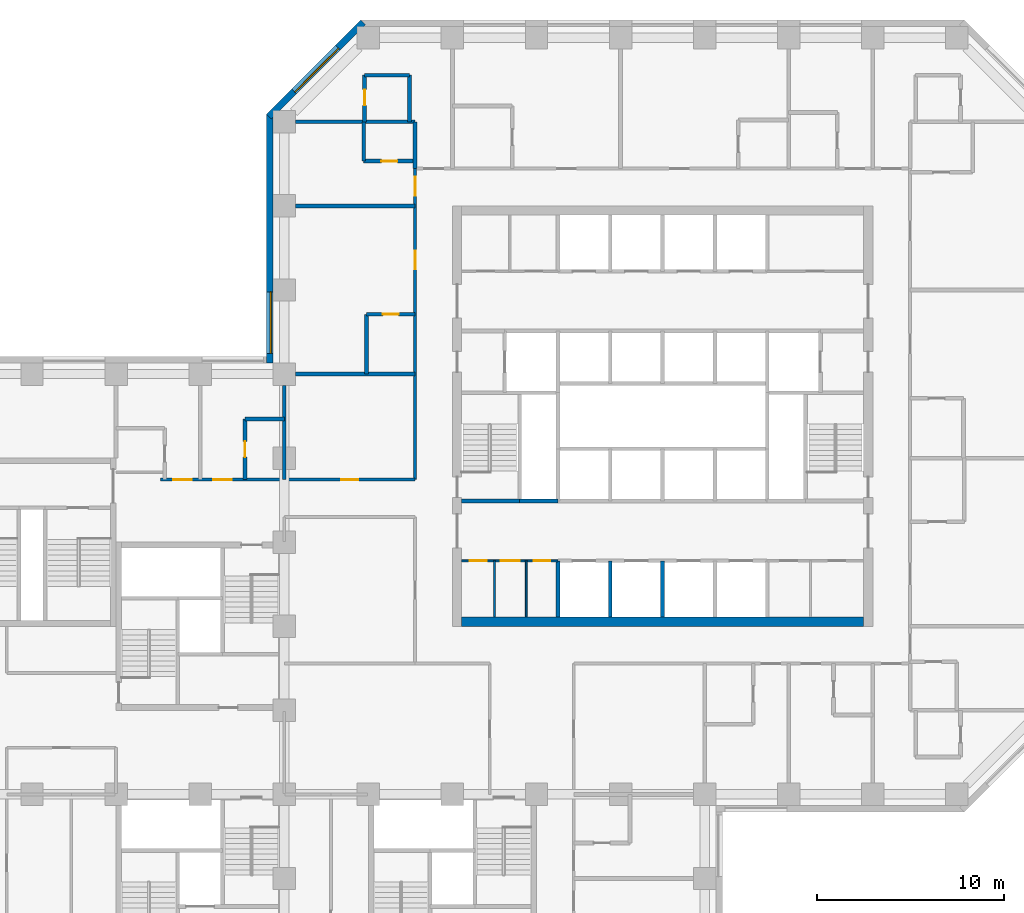
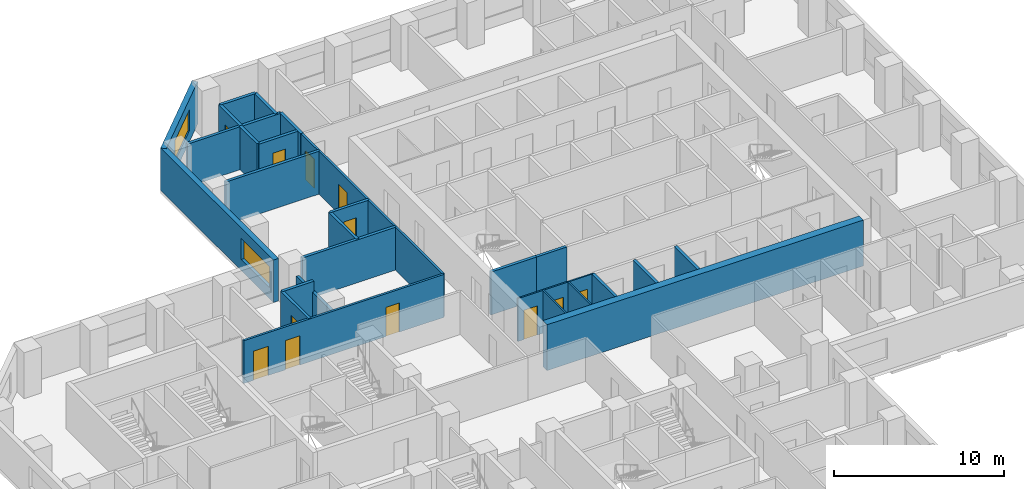
# One storey, part 7 of 12: 27 walls, 12 doors, 2 windows, 14 openings.
"""IFC4 building model written with IfcOpenShell, lengths in metres."""

from ifc_helpers import new_model, si_unit, direction, frame, frame_2d, origin, place, context, subcontext, project, spatial, rectangle, extrude, material, layer, layer_set, constituent, constituent_set, type_object, element, fill, save


model = new_model("IFC4")

# Units and contexts
model_context = context("Model", 3, precision=1e-05, world=origin(), true_north=direction((0.0, 1.0)))
body_context = subcontext(model_context, "Body", "Model", "MODEL_VIEW")
ifc_project = project(units=[si_unit("LENGTHUNIT", "METRE"), si_unit("AREAUNIT", "SQUARE_METRE"), si_unit("VOLUMEUNIT", "CUBIC_METRE"), si_unit("PLANEANGLEUNIT", "RADIAN"), si_unit("MASSUNIT", "GRAM", prefix="KILO")], contexts=[model_context])

# Site, building, storey
site_placement = place(None, origin())
site = spatial("IfcSite", under=ifc_project, at=site_placement, CompositionType="ELEMENT")
building_placement = place(site_placement, origin())
building = spatial("IfcBuilding", under=site, at=building_placement, Name="Quoin Convention Tower", CompositionType="ELEMENT")
storey_placement = place(building_placement, frame((0.0, 0.0, 59.39990234375)))
storey = spatial("IfcBuildingStorey", under=building, at=storey_placement, Name="L15", CompositionType="ELEMENT", Elevation=59.39990234375)

# Wall, opening, window
ifc_material_1 = material(Name="Brick masonry", Category="masonry")
ifc_layer_1 = layer(ifc_material_1, 0.35009765625)
ifc_layer_set_1 = layer_set([ifc_layer_1], Name="Brick masonry")
wall_type_1 = type_object("IfcWallType", Name="Brick facade wall", PredefinedType="STANDARD", material=ifc_layer_set_1)
wall_1_placement = place(storey_placement, frame((40.230224609375, 81.826416015625, 0.0), z_axis=(0.0, 0.0, 1.0), x_axis=(-0.707106781187, -0.707106781187, 0.0)))
wall_1 = element("IfcWall", 1, at=wall_1_placement, inside=storey, type_object=wall_type_1, Name="fw-L15-40500_81000", PredefinedType="STANDARD", context=body_context, shape_type="SweptSolid", body=[
    extrude(rectangle(XDim=7.151123046875, YDim=0.35009765625, at=frame_2d((3.57568359375, 0.0))), origin(), (0.0, 0.0, 1.0), 3.05517578125),
])
opening_1_placement = place(wall_1_placement, frame((1.925537109375, 0.0, 0.800048828125)))
opening_1 = element("IfcOpeningElement", 2, at=opening_1_placement, cuts=wall_1, Name="Opening W-01", PredefinedType="OPENING", context=body_context, shape_type="SweptSolid", body=[
    extrude(rectangle(XDim=3.300048828125, YDim=1.5, at=frame_2d((1.64990234375, 0.75))), frame((0.0, 0.18505859375, 0.0), z_axis=(0.0, -1.0, 0.0), x_axis=(1.0, 0.0, 0.0)), (0.0, 0.0, 1.0), 0.3701171875),
])
ifc_material_2 = material(Name="Aluminium", Category="aluminium")
ifc_constituent_1 = constituent(ifc_material_2, Name="Frame")
ifc_material_3 = material(Name="Insulated glass", Category="glass")
ifc_constituent_2 = constituent(ifc_material_3, Name="Glazing")
ifc_constituent_set = constituent_set(constituents=[ifc_constituent_1, ifc_constituent_2], Name="Aluminium")
window_type = type_object("IfcWindowType", Name="Hotel strip window", PartitioningType="DOUBLE_PANEL_VERTICAL", PredefinedType="WINDOW", material=ifc_constituent_set)
window_1_placement = place(opening_1_placement, origin())
window_1 = element("IfcWindow", 3, at=window_1_placement, inside=storey, type_object=window_type, Name="win-L15-37702_79298", OverallHeight=1.5, OverallWidth=3.300048828125, PartitioningType="SINGLE_PANEL", PredefinedType="WINDOW", context=body_context, shape_type="SweptSolid", body=[
    extrude(rectangle(XDim=3.300048828125, YDim=1.5, at=frame_2d((1.64990234375, 0.75))), frame((0.0, 0.0849609375, 0.0), z_axis=(0.0, -1.0, 0.0), x_axis=(1.0, 0.0, 0.0)), (0.0, 0.0, 1.0), 0.06005859375),
])
fill(opening_1, window_1)

wall_2_placement = place(storey_placement, frame((35.22509765625, 76.8935546875, 0.0), z_axis=(0.0, 0.0, 1.0), x_axis=(0.0, -1.0, 0.0)))
wall_2 = element("IfcWall", 4, at=wall_2_placement, inside=storey, type_object=wall_type_1, Name="fw-L15-36000_76500", PredefinedType="STANDARD", context=body_context, shape_type="SweptSolid", body=[
    extrude(rectangle(XDim=13.29345703125, YDim=0.35009765625, at=frame_2d((6.646728515625, 0.0))), origin(), (0.0, 0.0, 1.0), 3.05517578125),
])
opening_2_placement = place(wall_2_placement, frame((9.493408203125, 0.0, 0.800048828125)))
opening_2 = element("IfcOpeningElement", 5, at=opening_2_placement, cuts=wall_2, Name="Opening W-01", PredefinedType="OPENING", context=body_context, shape_type="SweptSolid", body=[
    extrude(rectangle(XDim=3.300048828125, YDim=1.5, at=frame_2d((1.64990234375, 0.75))), frame((0.0, 0.18505859375, 0.0), z_axis=(0.0, -1.0, 0.0), x_axis=(1.0, 0.0, 0.0)), (0.0, 0.0, 1.0), 0.3701171875),
])
window_2_placement = place(opening_2_placement, origin())
window_2 = element("IfcWindow", 6, at=window_2_placement, inside=storey, type_object=window_type, Name="win-L15-35225_65250", OverallHeight=1.5, OverallWidth=3.300048828125, PartitioningType="SINGLE_PANEL", PredefinedType="WINDOW", context=body_context, shape_type="SweptSolid", body=[
    extrude(rectangle(XDim=3.300048828125, YDim=1.5, at=frame_2d((1.64990234375, 0.75))), frame((0.0, 0.0849609375, 0.0), z_axis=(0.0, -1.0, 0.0), x_axis=(1.0, 0.0, 0.0)), (0.0, 0.0, 1.0), 0.06005859375),
])
fill(opening_2, window_2)

# Wall, openings, doors
ifc_material_4 = material(Name="Plasterboard")
ifc_layer_2 = layer(ifc_material_4, 0.012451171875, Name="Finish")
ifc_material_5 = material(Name="Steel stud framing", Category="steel")
ifc_layer_3 = layer(ifc_material_5, 0.074951171875, Name="Structure")
ifc_layer_4 = layer(ifc_material_4, 0.012451171875, Name="Finish")
ifc_layer_set_2 = layer_set([ifc_layer_2, ifc_layer_3, ifc_layer_4], Name="Steel stud framing")
wall_type_2 = type_object("IfcWallType", Name="Core partition wall", PredefinedType="PARTITIONING", material=ifc_layer_set_2)
wall_3_placement = place(storey_placement, frame((45.5, 53.0, 0.0), z_axis=(0.0, 0.0, 1.0), x_axis=(1.0, 0.0, 0.0)))
wall_3 = element("IfcWall", 7, at=wall_3_placement, inside=storey, type_object=wall_type_2, Name="cr-C1-L15-h3500_500", PredefinedType="PARTITIONING", context=body_context, shape_type="SweptSolid", body=[
    extrude(rectangle(XDim=5.14990234375, YDim=0.10009765625, at=frame_2d((2.574951171875, 0.0))), origin(), (0.0, 0.0, 1.0), 3.080078125),
])
opening_3_placement = place(wall_3_placement, frame((0.425537109375, 0.0, 0.0)))
opening_3 = element("IfcOpeningElement", 8, at=opening_3_placement, cuts=wall_3, Name="Opening DCV5-44", PredefinedType="OPENING", context=body_context, shape_type="SweptSolid", body=[
    extrude(rectangle(XDim=0.89990234375, YDim=2.10009765625, at=frame_2d((0.449951171875, 1.050048828125))), frame((0.0, 0.06005859375, 0.0), z_axis=(0.0, -1.0, 0.0), x_axis=(1.0, 0.0, 0.0)), (0.0, 0.0, 1.0), 0.1201171875),
])
opening_4_placement = place(wall_3_placement, frame((2.1005859375, 0.0, 0.0)))
opening_4 = element("IfcOpeningElement", 9, at=opening_4_placement, cuts=wall_3, Name="Opening DCV5-45", PredefinedType="OPENING", context=body_context, shape_type="SweptSolid", body=[
    extrude(rectangle(XDim=1.0, YDim=2.10009765625, at=frame_2d((0.5, 1.050048828125))), frame((0.0, 0.06005859375, 0.0), z_axis=(0.0, -1.0, 0.0), x_axis=(1.0, 0.0, 0.0)), (0.0, 0.0, 1.0), 0.1201171875),
])
opening_5_placement = place(wall_3_placement, frame((3.85009765625, 0.0, 0.0)))
opening_5 = element("IfcOpeningElement", 10, at=opening_5_placement, cuts=wall_3, Name="Opening DCV5-46", PredefinedType="OPENING", context=body_context, shape_type="SweptSolid", body=[
    extrude(rectangle(XDim=0.89990234375, YDim=2.10009765625, at=frame_2d((0.449951171875, 1.050048828125))), frame((0.0, 0.06005859375, 0.0), z_axis=(0.0, -1.0, 0.0), x_axis=(1.0, 0.0, 0.0)), (0.0, 0.0, 1.0), 0.1201171875),
])
ifc_material_6 = material(Name="Steel door leaf", Category="steel")
door_type_1 = type_object("IfcDoorType", Name="Core room door 1000 x 2100", OperationType="SINGLE_SWING_LEFT", PredefinedType="DOOR", material=ifc_material_6)
door_1_placement = place(opening_4_placement, frame((1.0, 0.0, 0.0), z_axis=(0.0, 0.0, 1.0), x_axis=(-1.0, 0.0, 0.0)))
door_1 = element("IfcDoor", 11, at=door_1_placement, inside=storey, type_object=door_type_1, Name="cd-C1-L15-CSW1-lobA-CD1513", OperationType="SINGLE_SWING_LEFT", OverallHeight=2.10009765625, OverallWidth=1.0, PredefinedType="DOOR", context=body_context, shape_type="SweptSolid", body=[
    extrude(rectangle(XDim=1.0, YDim=2.10009765625, at=frame_2d((0.5, 1.050048828125))), frame((0.0, 0.02490234375, 0.0), z_axis=(0.0, -1.0, 0.0), x_axis=(1.0, 0.0, 0.0)), (0.0, 0.0, 1.0), 0.050048828125),
])
fill(opening_4, door_1)
door_type_2 = type_object("IfcDoorType", Name="Core room door 900 x 2100", OperationType="SINGLE_SWING_LEFT", PredefinedType="DOOR", material=ifc_material_6)
door_2_placement = place(opening_3_placement, frame((0.89990234375, 0.0, 0.0), z_axis=(0.0, 0.0, 1.0), x_axis=(-1.0, 0.0, 0.0)))
door_2 = element("IfcDoor", 12, at=door_2_placement, inside=storey, type_object=door_type_2, Name="cd-C1-L15-CSW0-lobA-CD1512", OperationType="SINGLE_SWING_LEFT", OverallHeight=2.10009765625, OverallWidth=0.89990234375, PredefinedType="DOOR", context=body_context, shape_type="SweptSolid", body=[
    extrude(rectangle(XDim=0.89990234375, YDim=2.10009765625, at=frame_2d((0.449951171875, 1.050048828125))), frame((0.0, 0.02490234375, 0.0), z_axis=(0.0, -1.0, 0.0), x_axis=(1.0, 0.0, 0.0)), (0.0, 0.0, 1.0), 0.050048828125),
])
fill(opening_3, door_2)
door_3_placement = place(opening_5_placement, frame((0.89990234375, 0.0, 0.0), z_axis=(0.0, 0.0, 1.0), x_axis=(-1.0, 0.0, 0.0)))
door_3 = element("IfcDoor", 13, at=door_3_placement, inside=storey, type_object=door_type_2, Name="cd-C1-L15-CSW2-lobA-CD1514", OperationType="SINGLE_SWING_LEFT", OverallHeight=2.10009765625, OverallWidth=0.89990234375, PredefinedType="DOOR", context=body_context, shape_type="SweptSolid", body=[
    extrude(rectangle(XDim=0.89990234375, YDim=2.10009765625, at=frame_2d((0.449951171875, 1.050048828125))), frame((0.0, 0.02490234375, 0.0), z_axis=(0.0, -1.0, 0.0), x_axis=(1.0, 0.0, 0.0)), (0.0, 0.0, 1.0), 0.050048828125),
])
fill(opening_5, door_3)

# Walls
for number, where, z_axis, x_axis, name in (
    (14, (47.2509765625, 50.0, 0.0), (0.0, 0.0, 1.0), (0.0, 1.0, 0.0), "cr-C1-L15-v2251_500"),
    (15, (48.950439453125, 50.0, 0.0), (0.0, 0.0, 1.0), (0.0, 1.0, 0.0), "cr-C1-L15-v3950_500"),
):
    element("IfcWall", number, at=place(storey_placement, frame(where, z_axis=z_axis, x_axis=x_axis)), inside=storey, type_object=wall_type_2, Name=name, PredefinedType="PARTITIONING", context=body_context, shape_type="SweptSolid", body=[
        extrude(rectangle(XDim=3.0, YDim=0.10009765625, at=frame_2d((1.5, 0.0))), origin(), (0.0, 0.0, 1.0), 3.080078125),
    ])
ifc_material_7 = material(Name="Concrete C50", Category="concrete")
ifc_layer_5 = layer(ifc_material_7, 0.199951171875)
ifc_layer_set_3 = layer_set([ifc_layer_5], Name="Concrete C50")
wall_type_3 = type_object("IfcWallType", Name="Core shaft wall", PredefinedType="SOLIDWALL", material=ifc_layer_set_3)
wall_4_placement = place(storey_placement, frame((48.60009765625, 56.199951171875, 0.0), z_axis=(0.0, 0.0, 1.0), x_axis=(1.0, 0.0, 0.0)))
element("IfcWall", 16, at=wall_4_placement, inside=storey, type_object=wall_type_3, Name="cr-C1-L15-h6700_3600", PredefinedType="SOLIDWALL", context=body_context, shape_type="SweptSolid", body=[
    extrude(rectangle(XDim=2.0498046875, YDim=0.199951171875, at=frame_2d((1.02490234375, 0.0))), origin(), (0.0, 0.0, 1.0), 3.080078125),
])
wall_5_placement = place(storey_placement, frame((45.5, 56.199951171875, 0.0), z_axis=(0.0, 0.0, 1.0), x_axis=(1.0, 0.0, 0.0)))
element("IfcWall", 17, at=wall_5_placement, inside=storey, type_object=wall_type_3, Name="cr-C1-L15-h6700_500", PredefinedType="SOLIDWALL", context=body_context, shape_type="SweptSolid", body=[
    extrude(rectangle(XDim=3.10009765625, YDim=0.199951171875, at=frame_2d((1.550048828125, 0.0))), origin(), (0.0, 0.0, 1.0), 3.080078125),
])
for number, where, z_axis, x_axis, name in (
    (18, (50.64990234375, 50.0, 0.0), (0.0, 0.0, 1.0), (0.0, 1.0, 0.0), "cr-C1-L15-v5650_500"),
    (19, (53.449951171875, 50.0, 0.0), (0.0, 0.0, 1.0), (0.0, 1.0, 0.0), "cr-C1-L15-v8450_500"),
    (20, (56.25, 50.0, 0.0), (0.0, 0.0, 1.0), (0.0, 1.0, 0.0), "cr-C1-L15-v11250_500"),
):
    element("IfcWall", number, at=place(storey_placement, frame(where, z_axis=z_axis, x_axis=x_axis)), inside=storey, type_object=wall_type_3, Name=name, PredefinedType="SOLIDWALL", context=body_context, shape_type="SweptSolid", body=[
        extrude(rectangle(XDim=3.0, YDim=0.199951171875, at=frame_2d((1.5, 0.0))), origin(), (0.0, 0.0, 1.0), 3.080078125),
    ])
ifc_material_8 = material(Name="Concrete C80", Category="concrete")
ifc_layer_6 = layer(ifc_material_8, 0.5)
ifc_layer_set_4 = layer_set([ifc_layer_6], Name="Concrete C80")
wall_type_4 = type_object("IfcWallType", Name="RC CORE WALL 500 C80", PredefinedType="SHEAR", material=ifc_layer_set_4)
wall_6_placement = place(storey_placement, frame((45.5, 49.75, 0.0), z_axis=(0.0, 0.0, 1.0), x_axis=(1.0, 0.0, 0.0)))
element("IfcWall", 21, at=wall_6_placement, inside=storey, type_object=wall_type_4, Name="cwl-C1-L15-S", PredefinedType="SHEAR", context=body_context, shape_type="SweptSolid", body=[
    extrude(rectangle(XDim=21.5, YDim=0.5, at=frame_2d((10.75, 0.0))), origin(), (0.0, 0.0, 1.0), 3.300048828125),
])

# Wall, opening, door
ifc_layer_7 = layer(ifc_material_7, 0.199951171875)
ifc_layer_set_5 = layer_set([ifc_layer_7], Name="Concrete C50")
wall_type_5 = type_object("IfcWallType", Name="RC party wall", PredefinedType="SOLIDWALL", material=ifc_layer_set_5)
wall_7_placement = place(storey_placement, frame((33.89990234375, 57.35009765625, 0.0), z_axis=(0.0, 0.0, 1.0), x_axis=(0.0, 1.0, 0.0)))
wall_7 = element("IfcWall", 22, at=wall_7_placement, inside=storey, type_object=wall_type_5, Name="pw-L15-115", PredefinedType="SOLIDWALL", context=body_context, shape_type="SweptSolid", body=[
    extrude(rectangle(XDim=3.25, YDim=0.199951171875, at=frame_2d((1.625, 0.0))), origin(), (0.0, 0.0, 1.0), 3.080078125),
])
opening_6_placement = place(wall_7_placement, frame((1.199951171875, 0.0, 0.0)))
opening_6 = element("IfcOpeningElement", 23, at=opening_6_placement, cuts=wall_7, Name="Opening DHOTEL-D-64", PredefinedType="OPENING", context=body_context, shape_type="SweptSolid", body=[
    extrude(rectangle(XDim=0.85009765625, YDim=2.10009765625, at=frame_2d((0.425048828125, 1.050048828125))), frame((0.0, 0.10986328125, 0.0), z_axis=(0.0, -1.0, 0.0), x_axis=(1.0, 0.0, 0.0)), (0.0, 0.0, 1.0), 0.219970703125),
])
door_type_3 = type_object("IfcDoorType", Name="Bathroom door", OperationType="SINGLE_SWING_LEFT", PredefinedType="DOOR", material=ifc_material_6)
door_4_placement = place(opening_6_placement, origin())
door_4 = element("IfcDoor", 24, at=door_4_placement, inside=storey, type_object=door_type_3, Name="dr-L15-032", OperationType="SINGLE_SWING_LEFT", OverallHeight=2.10009765625, OverallWidth=0.85009765625, PredefinedType="DOOR", context=body_context, shape_type="SweptSolid", body=[
    extrude(rectangle(XDim=0.85009765625, YDim=2.10009765625, at=frame_2d((0.425048828125, 1.050048828125))), frame((0.0, 0.02490234375, 0.0), z_axis=(0.0, -1.0, 0.0), x_axis=(1.0, 0.0, 0.0)), (0.0, 0.0, 1.0), 0.050048828125),
])
fill(opening_6, door_4)

# Walls
wall_8_placement = place(storey_placement, frame((33.89990234375, 60.60009765625, 0.0), z_axis=(0.0, 0.0, 1.0), x_axis=(1.0, 0.0, 0.0)))
element("IfcWall", 25, at=wall_8_placement, inside=storey, type_object=wall_type_5, Name="pw-L15-123", PredefinedType="SOLIDWALL", context=body_context, shape_type="SweptSolid", body=[
    extrude(rectangle(XDim=2.10009765625, YDim=0.199951171875, at=frame_2d((1.050048828125, 0.0))), origin(), (0.0, 0.0, 1.0), 3.080078125),
])
wall_9_placement = place(storey_placement, frame((40.39990234375, 63.0, 0.0), z_axis=(0.0, 0.0, 1.0), x_axis=(0.0, 1.0, 0.0)))
element("IfcWall", 26, at=wall_9_placement, inside=storey, type_object=wall_type_5, Name="pw-L15-126", PredefinedType="SOLIDWALL", context=body_context, shape_type="SweptSolid", body=[
    extrude(rectangle(XDim=3.199951171875, YDim=0.199951171875, at=frame_2d((1.60009765625, 0.0))), origin(), (0.0, 0.0, 1.0), 3.080078125),
])

# Wall, opening, door
wall_10_placement = place(storey_placement, frame((40.39990234375, 66.199951171875, 0.0), z_axis=(0.0, 0.0, 1.0), x_axis=(1.0, 0.0, 0.0)))
wall_10 = element("IfcWall", 27, at=wall_10_placement, inside=storey, type_object=wall_type_5, Name="pw-L15-127", PredefinedType="SOLIDWALL", context=body_context, shape_type="SweptSolid", body=[
    extrude(rectangle(XDim=2.60009765625, YDim=0.199951171875, at=frame_2d((1.300048828125, 0.0))), origin(), (0.0, 0.0, 1.0), 3.080078125),
])
opening_7_placement = place(wall_10_placement, frame((0.875, 0.0, 0.0)))
opening_7 = element("IfcOpeningElement", 28, at=opening_7_placement, cuts=wall_10, Name="Opening DHOTEL-D-66", PredefinedType="OPENING", context=body_context, shape_type="SweptSolid", body=[
    extrude(rectangle(XDim=0.85009765625, YDim=2.10009765625, at=frame_2d((0.425048828125, 1.050048828125))), frame((0.0, 0.10986328125, 0.0), z_axis=(0.0, -1.0, 0.0), x_axis=(1.0, 0.0, 0.0)), (0.0, 0.0, 1.0), 0.219970703125),
])
door_5_placement = place(opening_7_placement, origin())
door_5 = element("IfcDoor", 29, at=door_5_placement, inside=storey, type_object=door_type_3, Name="dr-L15-038", OperationType="SINGLE_SWING_RIGHT", OverallHeight=2.10009765625, OverallWidth=0.85009765625, PredefinedType="DOOR", context=body_context, shape_type="SweptSolid", body=[
    extrude(rectangle(XDim=0.85009765625, YDim=2.10009765625, at=frame_2d((0.425048828125, 1.050048828125))), frame((0.0, 0.02490234375, 0.0), z_axis=(0.0, -1.0, 0.0), x_axis=(1.0, 0.0, 0.0)), (0.0, 0.0, 1.0), 0.050048828125),
])
fill(opening_7, door_5)

# Walls
wall_11_placement = place(storey_placement, frame((36.60009765625, 72.0, 0.0), z_axis=(0.0, 0.0, 1.0), x_axis=(1.0, 0.0, 0.0)))
element("IfcWall", 30, at=wall_11_placement, inside=storey, type_object=wall_type_5, Name="pw-L15-129", PredefinedType="SOLIDWALL", context=body_context, shape_type="SweptSolid", body=[
    extrude(rectangle(XDim=6.39990234375, YDim=0.199951171875, at=frame_2d((3.199951171875, 0.0))), origin(), (0.0, 0.0, 1.0), 3.080078125),
])
wall_12_placement = place(storey_placement, frame((43.0, 74.0, 0.0), z_axis=(0.0, 0.0, 1.0), x_axis=(0.0, 1.0, 0.0)))
element("IfcWall", 31, at=wall_12_placement, inside=storey, type_object=wall_type_5, Name="pw-L15-132", PredefinedType="SOLIDWALL", context=body_context, shape_type="SweptSolid", body=[
    extrude(rectangle(XDim=2.5, YDim=0.199951171875, at=frame_2d((1.25, 0.0))), origin(), (0.0, 0.0, 1.0), 3.080078125),
])

# Wall, opening, door
wall_13_placement = place(storey_placement, frame((40.25, 74.39990234375, 0.0), z_axis=(0.0, 0.0, 1.0), x_axis=(1.0, 0.0, 0.0)))
wall_13 = element("IfcWall", 32, at=wall_13_placement, inside=storey, type_object=wall_type_5, Name="pw-L15-141", PredefinedType="SOLIDWALL", context=body_context, shape_type="SweptSolid", body=[
    extrude(rectangle(XDim=2.75, YDim=0.199951171875, at=frame_2d((1.375, 0.0))), origin(), (0.0, 0.0, 1.0), 3.080078125),
])
opening_8_placement = place(wall_13_placement, frame((0.949951171875, 0.0, 0.0)))
opening_8 = element("IfcOpeningElement", 33, at=opening_8_placement, cuts=wall_13, Name="Opening DHOTEL-D-71", PredefinedType="OPENING", context=body_context, shape_type="SweptSolid", body=[
    extrude(rectangle(XDim=0.85009765625, YDim=2.10009765625, at=frame_2d((0.425048828125, 1.050048828125))), frame((0.0, 0.10986328125, 0.0), z_axis=(0.0, -1.0, 0.0), x_axis=(1.0, 0.0, 0.0)), (0.0, 0.0, 1.0), 0.219970703125),
])
door_6_placement = place(opening_8_placement, frame((0.85009765625, 0.0, 0.0), z_axis=(0.0, 0.0, 1.0), x_axis=(-1.0, 0.0, 0.0)))
door_6 = element("IfcDoor", 34, at=door_6_placement, inside=storey, type_object=door_type_3, Name="dr-L15-040", OperationType="SINGLE_SWING_LEFT", OverallHeight=2.10009765625, OverallWidth=0.85009765625, PredefinedType="DOOR", context=body_context, shape_type="SweptSolid", body=[
    extrude(rectangle(XDim=0.85009765625, YDim=2.10009765625, at=frame_2d((0.425048828125, 1.050048828125))), frame((0.0, 0.02490234375, 0.0), z_axis=(0.0, -1.0, 0.0), x_axis=(1.0, 0.0, 0.0)), (0.0, 0.0, 1.0), 0.050048828125),
])
fill(opening_8, door_6)

# Walls
wall_14_placement = place(storey_placement, frame((40.25, 74.39990234375, 0.0), z_axis=(0.0, 0.0, 1.0), x_axis=(0.0, 1.0, 0.0)))
element("IfcWall", 35, at=wall_14_placement, inside=storey, type_object=wall_type_5, Name="pw-L15-142", PredefinedType="SOLIDWALL", context=body_context, shape_type="SweptSolid", body=[
    extrude(rectangle(XDim=2.10009765625, YDim=0.199951171875, at=frame_2d((1.050048828125, 0.0))), origin(), (0.0, 0.0, 1.0), 3.080078125),
])
wall_15_placement = place(storey_placement, frame((36.60009765625, 76.5, 0.0), z_axis=(0.0, 0.0, 1.0), x_axis=(1.0, 0.0, 0.0)))
element("IfcWall", 36, at=wall_15_placement, inside=storey, type_object=wall_type_5, Name="pw-L15-143", PredefinedType="SOLIDWALL", context=body_context, shape_type="SweptSolid", body=[
    extrude(rectangle(XDim=6.39990234375, YDim=0.199951171875, at=frame_2d((3.199951171875, 0.0))), origin(), (0.0, 0.0, 1.0), 3.080078125),
])

# Wall, opening, door
wall_16_placement = place(storey_placement, frame((40.300048828125, 76.5, 0.0), z_axis=(0.0, 0.0, 1.0), x_axis=(0.0, 1.0, 0.0)))
wall_16 = element("IfcWall", 37, at=wall_16_placement, inside=storey, type_object=wall_type_5, Name="pw-L15-144", PredefinedType="SOLIDWALL", context=body_context, shape_type="SweptSolid", body=[
    extrude(rectangle(XDim=2.5, YDim=0.199951171875, at=frame_2d((1.25, 0.0))), origin(), (0.0, 0.0, 1.0), 3.080078125),
])
opening_9_placement = place(wall_16_placement, frame((0.875, 0.0, 0.0)))
opening_9 = element("IfcOpeningElement", 38, at=opening_9_placement, cuts=wall_16, Name="Opening DHOTEL-D-72", PredefinedType="OPENING", context=body_context, shape_type="SweptSolid", body=[
    extrude(rectangle(XDim=0.85009765625, YDim=2.10009765625, at=frame_2d((0.425048828125, 1.050048828125))), frame((0.0, 0.10986328125, 0.0), z_axis=(0.0, -1.0, 0.0), x_axis=(1.0, 0.0, 0.0)), (0.0, 0.0, 1.0), 0.219970703125),
])
door_7_placement = place(opening_9_placement, origin())
door_7 = element("IfcDoor", 39, at=door_7_placement, inside=storey, type_object=door_type_3, Name="dr-L15-066", OperationType="SINGLE_SWING_RIGHT", OverallHeight=2.10009765625, OverallWidth=0.85009765625, PredefinedType="DOOR", context=body_context, shape_type="SweptSolid", body=[
    extrude(rectangle(XDim=0.85009765625, YDim=2.10009765625, at=frame_2d((0.425048828125, 1.050048828125))), frame((0.0, 0.02490234375, 0.0), z_axis=(0.0, -1.0, 0.0), x_axis=(1.0, 0.0, 0.0)), (0.0, 0.0, 1.0), 0.050048828125),
])
fill(opening_9, door_7)

# Walls
wall_17_placement = place(storey_placement, frame((42.699951171875, 76.5, 0.0), z_axis=(0.0, 0.0, 1.0), x_axis=(0.0, 1.0, 0.0)))
element("IfcWall", 40, at=wall_17_placement, inside=storey, type_object=wall_type_5, Name="pw-L15-145", PredefinedType="SOLIDWALL", context=body_context, shape_type="SweptSolid", body=[
    extrude(rectangle(XDim=2.5, YDim=0.199951171875, at=frame_2d((1.25, 0.0))), origin(), (0.0, 0.0, 1.0), 3.080078125),
])
wall_18_placement = place(storey_placement, frame((40.300048828125, 79.0, 0.0), z_axis=(0.0, 0.0, 1.0), x_axis=(1.0, 0.0, 0.0)))
element("IfcWall", 41, at=wall_18_placement, inside=storey, type_object=wall_type_5, Name="pw-L15-152", PredefinedType="SOLIDWALL", context=body_context, shape_type="SweptSolid", body=[
    extrude(rectangle(XDim=2.39990234375, YDim=0.199951171875, at=frame_2d((1.199951171875, 0.0))), origin(), (0.0, 0.0, 1.0), 3.080078125),
])

# Wall, openings, doors
ifc_layer_8 = layer(ifc_material_4, 0.012451171875, Name="Finish")
ifc_layer_9 = layer(ifc_material_5, 0.125, Name="Structure")
ifc_layer_10 = layer(ifc_material_4, 0.012451171875, Name="Finish")
ifc_layer_set_6 = layer_set([ifc_layer_8, ifc_layer_9, ifc_layer_10], Name="Steel stud framing")
wall_type_6 = type_object("IfcWallType", Name="corridor partition", PredefinedType="PARTITIONING", material=ifc_layer_set_6)
wall_19_placement = place(storey_placement, frame((29.3798828125, 57.35009765625, 0.0), z_axis=(0.0, 0.0, 1.0), x_axis=(1.0, 0.0, 0.0)))
wall_19 = element("IfcWall", 42, at=wall_19_placement, inside=storey, type_object=wall_type_6, Name="pw-L15-036", PredefinedType="PARTITIONING", context=body_context, shape_type="SweptSolid", body=[
    extrude(rectangle(XDim=13.6201171875, YDim=0.14990234375, at=frame_2d((6.81005859375, 0.0))), origin(), (0.0, 0.0, 1.0), 3.080078125),
])
opening_10_placement = place(wall_19_placement, frame((2.820068359375, 0.0, 0.0)))
opening_10 = element("IfcOpeningElement", 43, at=opening_10_placement, cuts=wall_19, Name="Opening DHOTEL-D-33", PredefinedType="OPENING", context=body_context, shape_type="SweptSolid", body=[
    extrude(rectangle(XDim=1.0, YDim=2.10009765625, at=frame_2d((0.5, 1.050048828125))), frame((0.0, 0.0849609375, 0.0), z_axis=(0.0, -1.0, 0.0), x_axis=(1.0, 0.0, 0.0)), (0.0, 0.0, 1.0), 0.169921875),
])
opening_11_placement = place(wall_19_placement, frame((0.669921875, 0.0, 0.0)))
opening_11 = element("IfcOpeningElement", 44, at=opening_11_placement, cuts=wall_19, Name="Opening DHOTEL-D-32", PredefinedType="OPENING", context=body_context, shape_type="SweptSolid", body=[
    extrude(rectangle(XDim=1.0, YDim=2.10009765625, at=frame_2d((0.5, 1.050048828125))), frame((0.0, 0.0849609375, 0.0), z_axis=(0.0, -1.0, 0.0), x_axis=(1.0, 0.0, 0.0)), (0.0, 0.0, 1.0), 0.169921875),
])
opening_12_placement = place(wall_19_placement, frame((9.669921875, 0.0, 0.0)))
opening_12 = element("IfcOpeningElement", 45, at=opening_12_placement, cuts=wall_19, Name="Opening DHOTEL-D-34", PredefinedType="OPENING", context=body_context, shape_type="SweptSolid", body=[
    extrude(rectangle(XDim=0.89990234375, YDim=2.10009765625, at=frame_2d((0.449951171875, 1.050048828125))), frame((0.0, 0.0849609375, 0.0), z_axis=(0.0, -1.0, 0.0), x_axis=(1.0, 0.0, 0.0)), (0.0, 0.0, 1.0), 0.169921875),
])
door_type_4 = type_object("IfcDoorType", Name="Hotel room door", OperationType="SINGLE_SWING_LEFT", PredefinedType="DOOR", material=ifc_material_6)
door_8_placement = place(opening_10_placement, origin())
door_8 = element("IfcDoor", 46, at=door_8_placement, inside=storey, type_object=door_type_4, Name="dr-L15-031", OperationType="SINGLE_SWING_RIGHT", OverallHeight=2.10009765625, OverallWidth=1.0, PredefinedType="DOOR", context=body_context, shape_type="SweptSolid", body=[
    extrude(rectangle(XDim=1.0, YDim=2.10009765625, at=frame_2d((0.5, 1.050048828125))), frame((0.0, 0.02490234375, 0.0), z_axis=(0.0, -1.0, 0.0), x_axis=(1.0, 0.0, 0.0)), (0.0, 0.0, 1.0), 0.050048828125),
])
fill(opening_10, door_8)
door_9_placement = place(opening_11_placement, origin())
door_9 = element("IfcDoor", 47, at=door_9_placement, inside=storey, type_object=door_type_4, Name="dr-L15-033", OperationType="SINGLE_SWING_RIGHT", OverallHeight=2.10009765625, OverallWidth=1.0, PredefinedType="DOOR", context=body_context, shape_type="SweptSolid", body=[
    extrude(rectangle(XDim=1.0, YDim=2.10009765625, at=frame_2d((0.5, 1.050048828125))), frame((0.0, 0.02490234375, 0.0), z_axis=(0.0, -1.0, 0.0), x_axis=(1.0, 0.0, 0.0)), (0.0, 0.0, 1.0), 0.050048828125),
])
fill(opening_11, door_9)
door_type_5 = type_object("IfcDoorType", Name="Toilet door", OperationType="SINGLE_SWING_LEFT", PredefinedType="DOOR", material=ifc_material_6)
door_10_placement = place(opening_12_placement, origin())
door_10 = element("IfcDoor", 48, at=door_10_placement, inside=storey, type_object=door_type_5, Name="dr-L15-078", OperationType="SINGLE_SWING_RIGHT", OverallHeight=2.10009765625, OverallWidth=0.89990234375, PredefinedType="DOOR", context=body_context, shape_type="SweptSolid", body=[
    extrude(rectangle(XDim=0.89990234375, YDim=2.10009765625, at=frame_2d((0.449951171875, 1.050048828125))), frame((0.0, 0.02490234375, 0.0), z_axis=(0.0, -1.0, 0.0), x_axis=(1.0, 0.0, 0.0)), (0.0, 0.0, 1.0), 0.050048828125),
])
fill(opening_12, door_10)

wall_20_placement = place(storey_placement, frame((43.0, 57.35009765625, 0.0), z_axis=(0.0, 0.0, 1.0), x_axis=(0.0, 1.0, 0.0)))
wall_20 = element("IfcWall", 49, at=wall_20_placement, inside=storey, type_object=wall_type_6, Name="pw-L15-037", PredefinedType="PARTITIONING", context=body_context, shape_type="SweptSolid", body=[
    extrude(rectangle(XDim=16.64990234375, YDim=0.14990234375, at=frame_2d((8.324951171875, 0.0))), origin(), (0.0, 0.0, 1.0), 3.080078125),
])
opening_13_placement = place(wall_20_placement, frame((11.25, 0.0, 0.0)))
opening_13 = element("IfcOpeningElement", 50, at=opening_13_placement, cuts=wall_20, Name="Opening DHOTEL-D-35", PredefinedType="OPENING", context=body_context, shape_type="SweptSolid", body=[
    extrude(rectangle(XDim=1.0, YDim=2.10009765625, at=frame_2d((0.5, 1.050048828125))), frame((0.0, 0.0849609375, 0.0), z_axis=(0.0, -1.0, 0.0), x_axis=(1.0, 0.0, 0.0)), (0.0, 0.0, 1.0), 0.169921875),
])
opening_14_placement = place(wall_20_placement, frame((15.202880859375, 0.0, 0.0)))
opening_14 = element("IfcOpeningElement", 51, at=opening_14_placement, cuts=wall_20, Name="Opening DHOTEL-D-36", PredefinedType="OPENING", context=body_context, shape_type="SweptSolid", body=[
    extrude(rectangle(XDim=1.0, YDim=2.10009765625, at=frame_2d((0.5, 1.050048828125))), frame((0.0, 0.0849609375, 0.0), z_axis=(0.0, -1.0, 0.0), x_axis=(1.0, 0.0, 0.0)), (0.0, 0.0, 1.0), 0.169921875),
])
door_11_placement = place(opening_13_placement, origin())
door_11 = element("IfcDoor", 52, at=door_11_placement, inside=storey, type_object=door_type_4, Name="dr-L15-037", OperationType="SINGLE_SWING_RIGHT", OverallHeight=2.10009765625, OverallWidth=1.0, PredefinedType="DOOR", context=body_context, shape_type="SweptSolid", body=[
    extrude(rectangle(XDim=1.0, YDim=2.10009765625, at=frame_2d((0.5, 1.050048828125))), frame((0.0, 0.02490234375, 0.0), z_axis=(0.0, -1.0, 0.0), x_axis=(1.0, 0.0, 0.0)), (0.0, 0.0, 1.0), 0.050048828125),
])
fill(opening_13, door_11)
door_12_placement = place(opening_14_placement, origin())
door_12 = element("IfcDoor", 53, at=door_12_placement, inside=storey, type_object=door_type_4, Name="dr-L15-039", OperationType="SINGLE_SWING_RIGHT", OverallHeight=2.10009765625, OverallWidth=1.0, PredefinedType="DOOR", context=body_context, shape_type="SweptSolid", body=[
    extrude(rectangle(XDim=1.0, YDim=2.10009765625, at=frame_2d((0.5, 1.050048828125))), frame((0.0, 0.02490234375, 0.0), z_axis=(0.0, -1.0, 0.0), x_axis=(1.0, 0.0, 0.0)), (0.0, 0.0, 1.0), 0.050048828125),
])
fill(opening_14, door_12)

# Walls
ifc_layer_11 = layer(ifc_material_4, 0.012451171875, Name="Finish")
ifc_layer_12 = layer(ifc_material_5, 0.175048828125, Name="Structure")
ifc_layer_13 = layer(ifc_material_4, 0.012451171875, Name="Finish")
ifc_layer_set_7 = layer_set([ifc_layer_11, ifc_layer_12, ifc_layer_13], Name="Steel stud framing")
wall_type_7 = type_object("IfcWallType", Name="guest room compartment wall", PredefinedType="PARTITIONING", material=ifc_layer_set_7)
wall_21_placement = place(storey_placement, frame((36.60009765625, 63.0, 0.0), z_axis=(0.0, 0.0, 1.0), x_axis=(1.0, 0.0, 0.0)))
element("IfcWall", 54, at=wall_21_placement, inside=storey, type_object=wall_type_7, Name="pw-L15-004", PredefinedType="PARTITIONING", context=body_context, shape_type="SweptSolid", body=[
    extrude(rectangle(XDim=6.39990234375, YDim=0.199951171875, at=frame_2d((3.199951171875, 0.0))), origin(), (0.0, 0.0, 1.0), 3.080078125),
])
ifc_layer_14 = layer(ifc_material_4, 0.012451171875, Name="Finish")
ifc_layer_15 = layer(ifc_material_5, 0.175048828125, Name="Structure")
ifc_layer_16 = layer(ifc_material_4, 0.012451171875, Name="Finish")
ifc_layer_set_8 = layer_set([ifc_layer_14, ifc_layer_15, ifc_layer_16], Name="Steel stud framing")
wall_type_8 = type_object("IfcWallType", Name="guest room compartment wall under beam 750", PredefinedType="PARTITIONING", material=ifc_layer_set_8)
wall_22_placement = place(storey_placement, frame((36.0, 57.35009765625, 0.0), z_axis=(0.0, 0.0, 1.0), x_axis=(0.0, 1.0, 0.0)))
element("IfcWall", 55, at=wall_22_placement, inside=storey, type_object=wall_type_8, Name="pw-L15-003", PredefinedType="PARTITIONING", context=body_context, shape_type="SweptSolid", body=[
    extrude(rectangle(XDim=5.0498046875, YDim=0.199951171875, at=frame_2d((2.52490234375, 0.0))), origin(), (0.0, 0.0, 1.0), 2.330078125),
])

save(model, "model.ifc")
